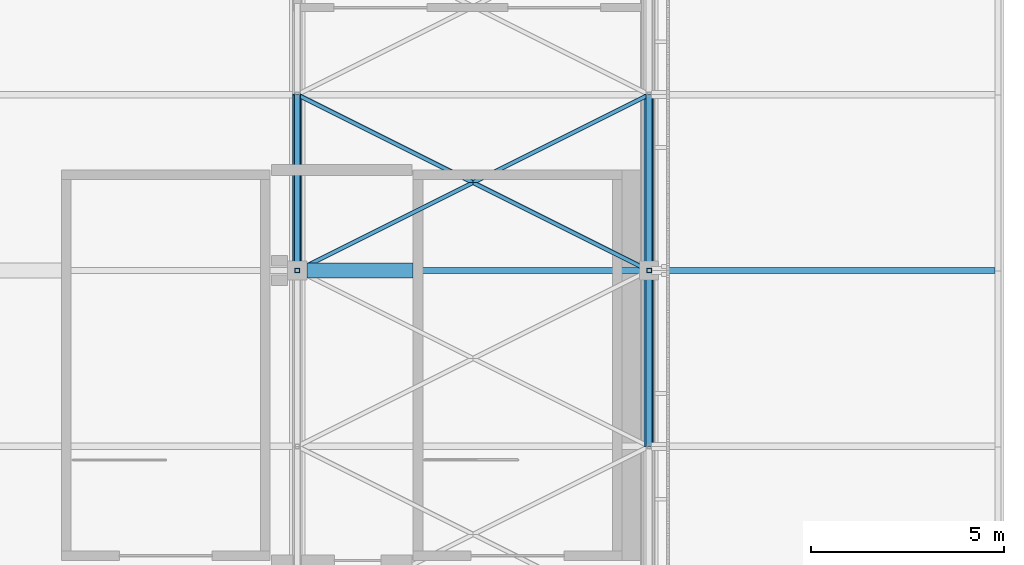
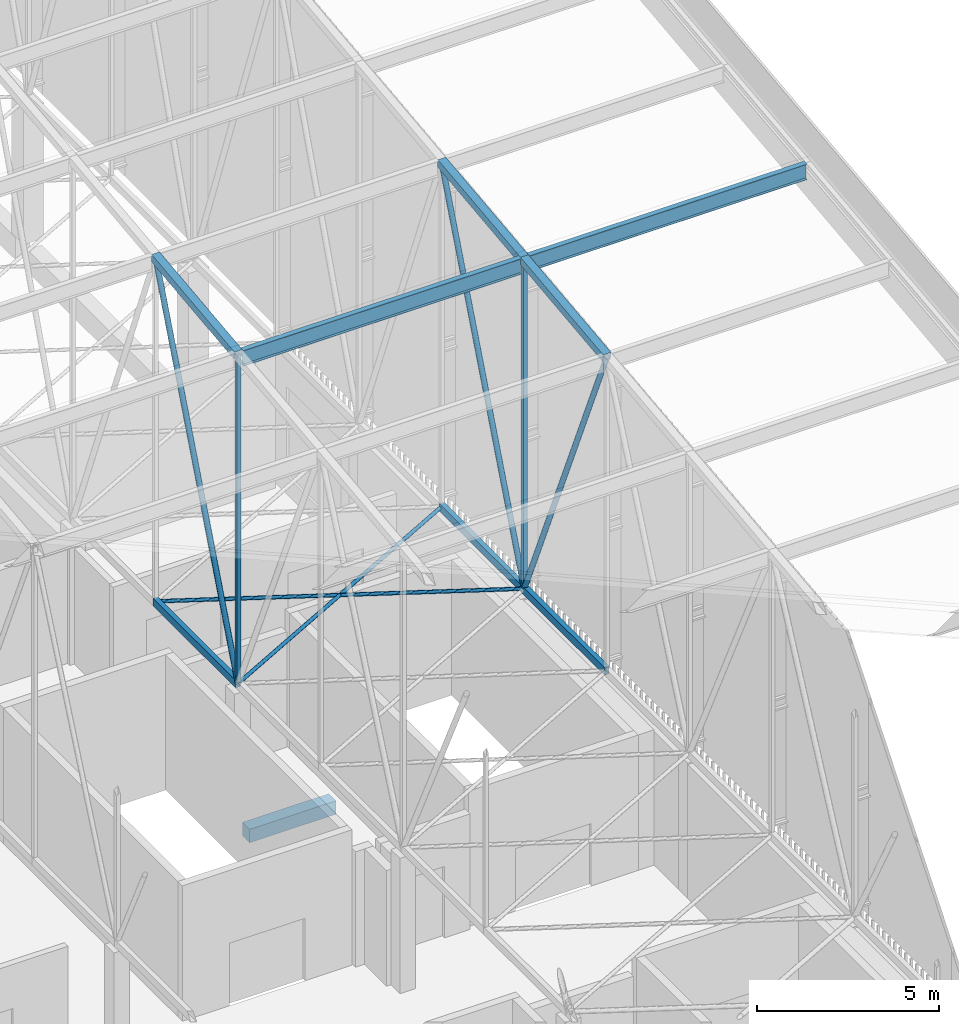
# One storey, part 353 of 500: 15 members, 1 beam.
"""IFC4 building model written with IfcOpenShell, lengths in metres."""

import ifcopenshell
import ifcopenshell.guid

model = None  # the IFC model being written
_history = None  # IfcOwnerHistory: only IFC2X3 demands one
_inside = {}  # id of a spatial element -> (the spatial element, [elements in it])
_under = {}  # id of a project, library or spatial element -> (it, [spatial elements below it])
_declared = {}  # id of a project -> (the project, [libraries it declares])
_typed = {}  # id of a type object -> (the type object, [elements of that type])
_made_of = {}  # id of a material, layer set ... -> (it, [elements and type objects made of it])


def new_model(schema):
    """Start an empty IFC model of exactly this schema.

    Asked for "IFC4X3", IfcOpenShell would pick the latest addendum, in which some entities
    have other attributes; the version numbers below select the first issue.
    IFC2X3 requires an IfcOwnerHistory on every rooted entity: one is made here for all.
    """
    global model, _history
    if schema == "IFC4X3":
        model = ifcopenshell.file(schema_version=(4, 3, 0, 0))
    else:
        model = ifcopenshell.file(schema=schema)
    _inside.clear()
    _under.clear()
    _declared.clear()
    _typed.clear()
    _made_of.clear()
    _history = None
    if model.schema == "IFC2X3":
        org = make("IfcOrganization", Name="unknown")
        user = make(
            "IfcPersonAndOrganization",
            ThePerson=make("IfcPerson", FamilyName="unknown"),
            TheOrganization=org,
        )
        app = make(
            "IfcApplication",
            ApplicationDeveloper=org,
            Version="unknown",
            ApplicationFullName="unknown",
            ApplicationIdentifier="unknown",
        )
        _history = make(
            "IfcOwnerHistory",
            OwningUser=user,
            OwningApplication=app,
            ChangeAction="ADDED",
            CreationDate=0,
        )
    return model


def make(cls, **values):
    """One entity of the class cls with the attributes given. An attribute that is None is left unset."""
    return model.create_entity(
        cls, **{name: value for name, value in values.items() if value is not None}
    )


def rooted(cls, **values):
    """An entity with a GlobalId (a new one), such as an element, a storey or a relation."""
    return make(cls, GlobalId=ifcopenshell.guid.new(), OwnerHistory=_history, **values)


def si_unit(unit_type, name, prefix=None):
    """IfcSIUnit, for example si_unit("LENGTHUNIT", "METRE", prefix="MILLI")."""
    return make("IfcSIUnit", UnitType=unit_type, Prefix=prefix, Name=name)


def assignment(units):
    """IfcUnitAssignment: the units of a project."""
    return None if units is None else make("IfcUnitAssignment", Units=units)


def point(xyz):
    """IfcCartesianPoint."""
    return None if xyz is None else make("IfcCartesianPoint", Coordinates=xyz)


def direction(xyz):
    """IfcDirection."""
    return None if xyz is None else make("IfcDirection", DirectionRatios=xyz)


def frame(location, z_axis=None, x_axis=None):
    """IfcAxis2Placement3D, a coordinate frame: its origin and axes. An axis left out is left unset."""
    return make(
        "IfcAxis2Placement3D",
        Location=point(location),
        Axis=direction(z_axis),
        RefDirection=direction(x_axis),
    )


def frame_2d(location, x_axis=None):
    """IfcAxis2Placement2D, a coordinate frame in the plane: its origin and x axis."""
    return make(
        "IfcAxis2Placement2D", Location=point(location), RefDirection=direction(x_axis)
    )


def origin():
    """The frame at (0, 0, 0) with its axes left unset."""
    return frame((0.0, 0.0, 0.0))


def origin_2d():
    """The frame at (0, 0) in the plane with its x axis left unset."""
    return frame_2d((0.0, 0.0))


def place(relative_to, where):
    """IfcLocalPlacement: puts the frame where relative to a parent placement (None: the world)."""
    return make(
        "IfcLocalPlacement", PlacementRelTo=relative_to, RelativePlacement=where
    )


def context(
    kind, dimensions, precision=None, world=None, true_north=None, identifier=None
):
    """IfcGeometricRepresentationContext, for example the 3D "Model" context."""
    return make(
        "IfcGeometricRepresentationContext",
        ContextIdentifier=identifier,
        ContextType=kind,
        CoordinateSpaceDimension=dimensions,
        Precision=precision,
        WorldCoordinateSystem=world,
        TrueNorth=true_north,
    )


def subcontext(parent, identifier, kind, view, scale=None):
    """IfcGeometricRepresentationSubContext, for example "Body" below "Model"."""
    return make(
        "IfcGeometricRepresentationSubContext",
        ContextIdentifier=identifier,
        ContextType=kind,
        ParentContext=parent,
        TargetScale=scale,
        TargetView=view,
    )


def project(units=None, contexts=None):
    """IfcProject with its units and contexts."""
    return rooted(
        "IfcProject",
        Name="project",
        RepresentationContexts=contexts,
        UnitsInContext=assignment(units),
    )


def spatial(cls, under=None, at=None, **own):
    """A site, building, storey or space (cls), placed at a placement, below another one or the project."""
    s = rooted(cls, ObjectPlacement=at, **own)
    if under is not None:
        _under.setdefault(under.id(), (under, []))[1].append(s)
    return s


def profile(cls, at=None, kind="AREA", **sizes):
    """A parametric profile (cls). Its sizes go by their IFC names, for example OverallWidth=200.0."""
    return make(cls, ProfileType=kind, Position=at, **sizes)


def rectangle(**sizes):
    """IfcRectangleProfileDef."""
    return profile("IfcRectangleProfileDef", **sizes)


def hollow_rectangle(**sizes):
    """IfcRectangleHollowProfileDef."""
    return profile("IfcRectangleHollowProfileDef", **sizes)


def hollow_circle(**sizes):
    """IfcCircleHollowProfileDef."""
    return profile("IfcCircleHollowProfileDef", **sizes)


def i_section(**sizes):
    """IfcIShapeProfileDef."""
    return profile("IfcIShapeProfileDef", **sizes)


def extrude(swept, where, along, depth):
    """IfcExtrudedAreaSolid: the profile swept, set in the frame where, extruded along a direction by depth."""
    return make(
        "IfcExtrudedAreaSolid",
        SweptArea=swept,
        Position=where,
        ExtrudedDirection=direction(along),
        Depth=depth,
    )


def shape(context_of_items, identifier, shape_type, items):
    """IfcShapeRepresentation: the items that make up one representation, for example the "Body"."""
    return make(
        "IfcShapeRepresentation",
        ContextOfItems=context_of_items,
        RepresentationIdentifier=identifier,
        RepresentationType=shape_type,
        Items=items,
    )


def material(Name=None, Category=None):
    """IfcMaterial."""
    return make("IfcMaterial", Name=Name, Category=Category)


def material_profile(
    of_material, cross_section, Name=None, Category=None, Priority=None
):
    """IfcMaterialProfile: a cross section and its material."""
    return make(
        "IfcMaterialProfile",
        Name=Name,
        Material=of_material,
        Profile=cross_section,
        Priority=Priority,
        Category=Category,
    )


def profile_set(profiles, Name=None, composite=None):
    """IfcMaterialProfileSet."""
    return make(
        "IfcMaterialProfileSet",
        Name=Name,
        MaterialProfiles=profiles,
        CompositeProfile=composite,
    )


def made_of(thing, what):
    """Note that an element or type object is made of a material, layer set ...; save() writes the relation."""
    if what is not None:
        _made_of.setdefault(what.id(), (what, []))[1].append(thing)
    return thing


def type_object(cls, material=None, **own):
    """A type object (cls), such as IfcWallType, which elements share."""
    return made_of(rooted(cls, **own), material)


def element(
    cls,
    number,
    at=None,
    inside=None,
    cuts=None,
    type_object=None,
    material=None,
    context=None,
    identifier="Body",
    shape_type=None,
    held_by="IfcProductDefinitionShape",
    body=None,
    shapes=None,
    **own,
):
    """One element of the class cls, such as IfcWall. Its Tag is "e" and its number.

    at: its placement. inside: the storey or other place that contains it. cuts: it is an
    opening in that element (IfcRelVoidsElement). A single representation is given by context,
    identifier, shape_type and body (its items); several are given by shapes. held_by: the class
    of the entity that holds the representations. save() writes the other relations.
    """
    e = rooted(cls, Tag="e%d" % number, ObjectPlacement=at, **own)
    if body is not None:
        shapes = [shape(context, identifier, shape_type, body)]
    if shapes is not None:
        e.Representation = make(held_by, Representations=shapes)
    if inside is not None:
        _inside.setdefault(inside.id(), (inside, []))[1].append(e)
    if cuts is not None:
        rooted(
            "IfcRelVoidsElement", RelatingBuildingElement=cuts, RelatedOpeningElement=e
        )
    if type_object is not None:
        _typed.setdefault(type_object.id(), (type_object, []))[1].append(e)
    return made_of(e, material)


def aggregate(whole, parts):
    """IfcRelAggregates: a whole, such as a stair, and the parts it consists of."""
    return rooted("IfcRelAggregates", RelatingObject=whole, RelatedObjects=parts)


def save(model, path):
    """Write the relations noted so far, then the file.

    IfcRelAggregates (storeys below a building ...), IfcRelContainedInSpatialStructure (elements
    in a storey), IfcRelDefinesByType, IfcRelAssociatesMaterial and IfcRelDeclares: one each for
    every whole, place, type object, material and project.
    """
    for whole, parts in _under.values():
        aggregate(whole, parts)
    for where, things in _inside.values():
        rooted(
            "IfcRelContainedInSpatialStructure",
            RelatedElements=things,
            RelatingStructure=where,
        )
    for kind, things in _typed.values():
        rooted("IfcRelDefinesByType", RelatedObjects=things, RelatingType=kind)
    for what, things in _made_of.values():
        rooted("IfcRelAssociatesMaterial", RelatedObjects=things, RelatingMaterial=what)
    for by, libraries in _declared.values():
        rooted("IfcRelDeclares", RelatingContext=by, RelatedDefinitions=libraries)
    model.write(path)


model = new_model("IFC4")

# Units and contexts
model_context = context("Model", 3, precision=1e-05, world=origin(), true_north=direction((0.0, 1.0)))
body_context = subcontext(model_context, "Body", "Model", "MODEL_VIEW")
ifc_project = project(units=[si_unit("LENGTHUNIT", "METRE"), si_unit("AREAUNIT", "SQUARE_METRE"), si_unit("VOLUMEUNIT", "CUBIC_METRE"), si_unit("PLANEANGLEUNIT", "RADIAN"), si_unit("MASSUNIT", "GRAM", prefix="KILO")], contexts=[model_context])

# Site, building, storey
site_placement = place(None, origin())
site = spatial("IfcSite", under=ifc_project, at=site_placement, CompositionType="ELEMENT")
building_placement = place(site_placement, origin())
building = spatial("IfcBuilding", under=site, at=building_placement, Name="Shirokan Park Arena", CompositionType="ELEMENT")
storey_placement = place(building_placement, frame((0.0, 0.0, 29.1201171875)))
storey = spatial("IfcBuildingStorey", under=building, at=storey_placement, Name="L06", CompositionType="ELEMENT", Elevation=29.1201171875)

# Members
ifc_material_1 = material(Name="Steel ASTM A500 Grade C", Category="steel")
ifc_material_profile_1 = material_profile(ifc_material_1, hollow_rectangle(XDim=0.152099609375, YDim=0.25390625, WallThickness=0.009521484375, at=origin_2d()), Name="HSS254X152.4X9.5")
ifc_profile_set_1 = profile_set([ifc_material_profile_1], Name="Steel ASTM A500 Grade C")
member_type_1 = type_object("IfcMemberType", Name="Bottom chord HSS254X152.4X9.5", PredefinedType="CHORD", material=ifc_profile_set_1)
for number, where, z_axis, x_axis, name in (
    (1, (136.5, 27.300048828125, 4.677001953125), (0.0, 1.0, 0.0), (-1.0, 0.0, 0.0), "Truss T16 bottom chord 9"),
    (2, (145.60009765625, 22.75, 4.677001953125), (0.0, 1.0, 0.0), (-1.0, 0.0, 0.0), "Truss T17 bottom chord 8"),
    (3, (145.60009765625, 27.300048828125, 4.677001953125), (0.0, 1.0, 0.0), (-1.0, 0.0, 0.0), "Truss T17 bottom chord 9"),
):
    element("IfcMember", number, at=place(storey_placement, frame(where, z_axis=z_axis, x_axis=x_axis)), inside=storey, type_object=member_type_1, Name=name, PredefinedType="CHORD", context=body_context, shape_type="SweptSolid", body=[
        extrude(hollow_rectangle(XDim=0.152099609375, YDim=0.25390625, WallThickness=0.009521484375, at=origin_2d()), origin(), (0.0, 0.0, 1.0), 4.550048828125),
    ])
ifc_material_profile_2 = material_profile(ifc_material_1, hollow_circle(Radius=0.056884765625, WallThickness=0.006103515625, at=origin_2d()), Name="HSS114.3X6")
ifc_profile_set_2 = profile_set([ifc_material_profile_2], Name="Steel ASTM A500 Grade C")
member_type_2 = type_object("IfcMemberType", Name="Plan bracing HSS114.3X6", PredefinedType="BRACE", material=ifc_profile_set_2)
for number, where, z_axis, x_axis, name in (
    (4, (136.5, 27.300048828125, 4.677001953125), (0.894427191, 0.4472135955, 0.0), (-0.4472135955, 0.894427191, 0.0), "Plan bracing bay 16 panel 9 A"),
    (5, (145.60009765625, 27.300048828125, 4.677001953125), (-0.894427191, 0.4472135955, 0.0), (-0.4472135955, -0.894427191, 0.0), "Plan bracing bay 16 panel 9 B"),
):
    element("IfcMember", number, at=place(storey_placement, frame(where, z_axis=z_axis, x_axis=x_axis)), inside=storey, type_object=member_type_2, Name=name, PredefinedType="BRACE", context=body_context, shape_type="SweptSolid", body=[
        extrude(hollow_circle(Radius=0.056884765625, WallThickness=0.006103515625, at=origin_2d()), origin(), (0.0, 0.0, 1.0), 10.17431640625),
    ])
ifc_material_2 = material(Name="Steel ASTM A992", Category="steel")
ifc_material_profile_3 = material_profile(ifc_material_2, i_section(OverallWidth=0.166015625, OverallDepth=0.528076171875, WebThickness=0.009765625, FlangeThickness=0.013671875, at=origin_2d()), Name="W530X74")
ifc_profile_set_3 = profile_set([ifc_material_profile_3], Name="Steel ASTM A992")
member_type_3 = type_object("IfcMemberType", Name="Purlin W530X74", PredefinedType="PURLIN", material=ifc_profile_set_3)
member_1_placement = place(storey_placement, frame((136.626953125, 27.300048828125, 15.60595703125), z_axis=(1.0, 0.0, 0.0), x_axis=(0.0, 1.0, 0.0)))
element("IfcMember", 6, at=member_1_placement, inside=storey, type_object=member_type_3, Name="Purlin 9 bay 16", PredefinedType="PURLIN", context=body_context, shape_type="SweptSolid", body=[
    extrude(i_section(OverallWidth=0.166015625, OverallDepth=0.528076171875, WebThickness=0.009765625, FlangeThickness=0.013671875, at=origin_2d()), origin(), (0.0, 0.0, 1.0), 8.845947265625),
])
member_2_placement = place(storey_placement, frame((145.72705078125, 27.300048828125, 15.60595703125), z_axis=(1.0, 0.0, 0.0), x_axis=(0.0, 1.0, 0.0)))
element("IfcMember", 7, at=member_2_placement, inside=storey, type_object=member_type_3, Name="Eave purlin east 9", PredefinedType="PURLIN", context=body_context, shape_type="SweptSolid", body=[
    extrude(i_section(OverallWidth=0.166015625, OverallDepth=0.528076171875, WebThickness=0.009765625, FlangeThickness=0.013671875, at=origin_2d()), origin(), (0.0, 0.0, 1.0), 8.824951171875),
])

# Beam
ifc_material_3 = material(Name="Concrete C35", Category="concrete")
ifc_material_profile_4 = material_profile(ifc_material_3, rectangle(XDim=0.39990234375, YDim=0.449951171875, at=origin_2d()), Name="400x450")
ifc_profile_set_4 = profile_set([ifc_material_profile_4], Name="Concrete C35")
beam_type = type_object("IfcBeamType", Name="RC trimmer 400x450", PredefinedType="BEAM", material=ifc_profile_set_4)
beam_placement = place(storey_placement, frame((136.75, 27.300048828125, -0.425048828125), z_axis=(1.0, 0.0, 0.0), x_axis=(0.0, 1.0, 0.0)))
element("IfcBeam", 8, at=beam_placement, inside=storey, type_object=beam_type, Name="Girder 16D-17D L06", PredefinedType="BEAM", context=body_context, shape_type="SweptSolid", body=[
    extrude(rectangle(XDim=0.39990234375, YDim=0.449951171875, at=origin_2d()), origin(), (0.0, 0.0, 1.0), 2.75),
])

# Members
ifc_material_profile_5 = material_profile(ifc_material_1, hollow_rectangle(XDim=0.25390625, YDim=0.25390625, WallThickness=0.009521484375, at=origin_2d()), Name="HSS254X254X9.5")
ifc_profile_set_5 = profile_set([ifc_material_profile_5], Name="Steel ASTM A500 Grade C")
member_type_4 = type_object("IfcMemberType", Name="Top chord HSS254X254X9.5", PredefinedType="CHORD", material=ifc_profile_set_5)
for number, where, z_axis, x_axis, name in (
    (9, (136.5, 27.300048828125, 15.742919921875), (0.0, 0.993532328996, 0.113549598152), (-1.0, 0.0, 0.0), "Truss T16 top chord 9"),
    (10, (145.60009765625, 22.75, 15.222900390625), (0.0, 0.993532328996, 0.113549598152), (-1.0, 0.0, 0.0), "Truss T17 top chord 8"),
    (11, (145.60009765625, 27.300048828125, 15.742919921875), (0.0, 0.993532328996, 0.113549598152), (-1.0, 0.0, 0.0), "Truss T17 top chord 9"),
):
    element("IfcMember", number, at=place(storey_placement, frame(where, z_axis=z_axis, x_axis=x_axis)), inside=storey, type_object=member_type_4, Name=name, PredefinedType="CHORD", context=body_context, shape_type="SweptSolid", body=[
        extrude(hollow_rectangle(XDim=0.25390625, YDim=0.25390625, WallThickness=0.009521484375, at=origin_2d()), origin(), (0.0, 0.0, 1.0), 4.57958984375),
    ])
ifc_material_profile_6 = material_profile(ifc_material_1, hollow_circle(Radius=0.083984375, WallThickness=0.009521484375, at=origin_2d()), Name="HSS168.3X9.5")
ifc_profile_set_6 = profile_set([ifc_material_profile_6], Name="Steel ASTM A500 Grade C")
member_type_5 = type_object("IfcMemberType", Name="Truss diagonal HSS168.3X9.5", PredefinedType="BRACE", material=ifc_profile_set_6)
member_3_placement = place(storey_placement, frame((136.5, 27.300048828125, 4.677001953125), z_axis=(0.0, 0.365543139237, 0.930794399079), x_axis=(-1.0, 0.0, 0.0)))
element("IfcMember", 12, at=member_3_placement, inside=storey, type_object=member_type_5, Name="Truss T16 diagonal 9", PredefinedType="BRACE", context=body_context, shape_type="SweptSolid", body=[
    extrude(hollow_circle(Radius=0.083984375, WallThickness=0.009521484375, at=origin_2d()), origin(), (0.0, 0.0, 1.0), 12.447265625),
])
member_4_placement = place(storey_placement, frame((145.60009765625, 22.75, 15.222900390625), z_axis=(0.0, 0.396152605513, -0.918184683572), x_axis=(-1.0, 0.0, 0.0)))
element("IfcMember", 13, at=member_4_placement, inside=storey, type_object=member_type_5, Name="Truss T17 diagonal 8", PredefinedType="BRACE", context=body_context, shape_type="SweptSolid", body=[
    extrude(hollow_circle(Radius=0.083984375, WallThickness=0.009521484375, at=origin_2d()), origin(), (0.0, 0.0, 1.0), 11.485595703125),
])
member_5_placement = place(storey_placement, frame((145.60009765625, 27.300048828125, 4.677001953125), z_axis=(0.0, 0.365543139237, 0.930794399079), x_axis=(-1.0, 0.0, 0.0)))
element("IfcMember", 14, at=member_5_placement, inside=storey, type_object=member_type_5, Name="Truss T17 diagonal 9", PredefinedType="BRACE", context=body_context, shape_type="SweptSolid", body=[
    extrude(hollow_circle(Radius=0.083984375, WallThickness=0.009521484375, at=origin_2d()), origin(), (0.0, 0.0, 1.0), 12.447265625),
])
ifc_material_profile_7 = material_profile(ifc_material_1, hollow_rectangle(XDim=0.126953125, YDim=0.126953125, WallThickness=0.0126953125, at=origin_2d()), Name="HSS127X127X12.7")
ifc_profile_set_7 = profile_set([ifc_material_profile_7], Name="Steel ASTM A500 Grade C")
member_type_6 = type_object("IfcMemberType", Name="Truss post HSS127X127X12.7", PredefinedType="POST", material=ifc_profile_set_7)
for number, where, z_axis, x_axis, name in (
    (15, (136.5, 27.300048828125, 4.677001953125), (0.0, 0.0, 1.0), (1.0, 0.0, 0.0), "Truss T16 post 9"),
    (16, (145.60009765625, 27.300048828125, 4.677001953125), (0.0, 0.0, 1.0), (1.0, 0.0, 0.0), "Truss T17 post 9"),
):
    element("IfcMember", number, at=place(storey_placement, frame(where, z_axis=z_axis, x_axis=x_axis)), inside=storey, type_object=member_type_6, Name=name, PredefinedType="POST", context=body_context, shape_type="SweptSolid", body=[
        extrude(hollow_rectangle(XDim=0.126953125, YDim=0.126953125, WallThickness=0.0126953125, at=origin_2d()), origin(), (0.0, 0.0, 1.0), 11.06591796875),
    ])

save(model, "model.ifc")
